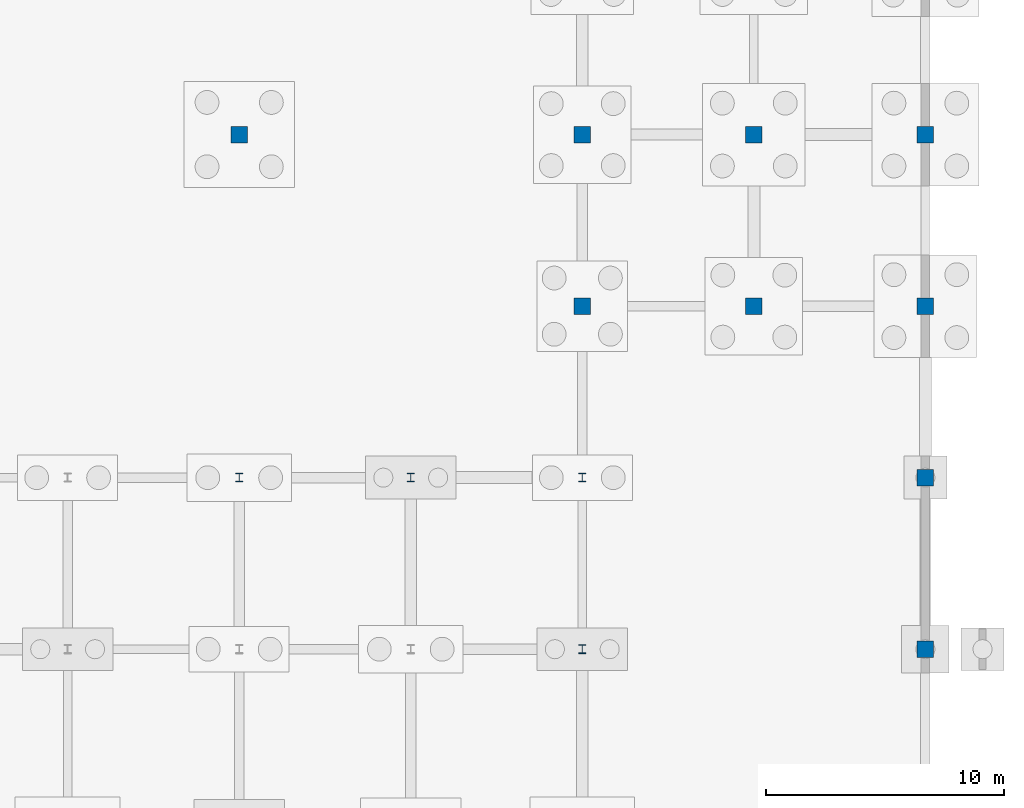
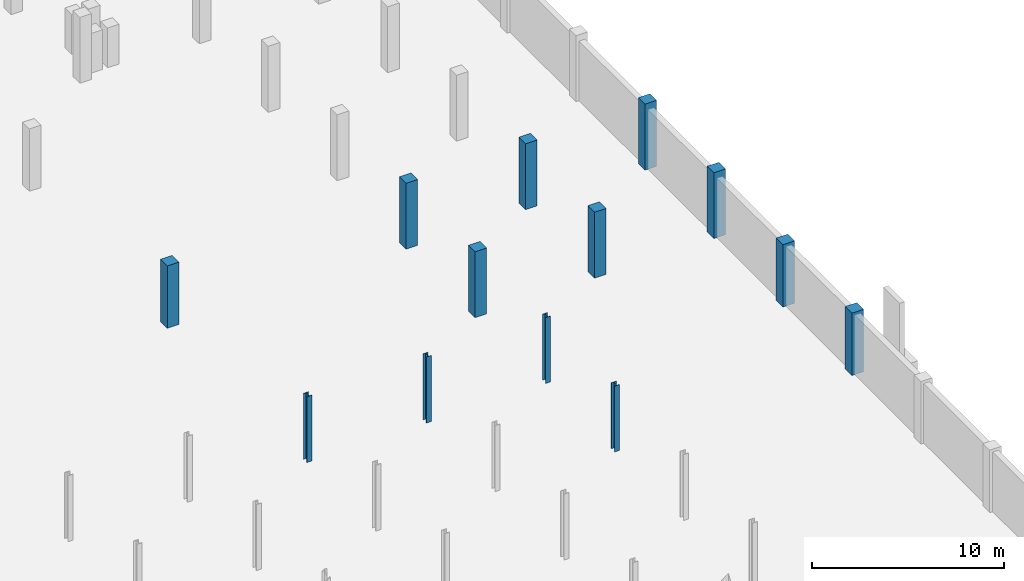
# One storey, part 34 of 56: 13 columns.
"""IFC4 building model written with IfcOpenShell, lengths in metres."""

from ifc_helpers import new_model, si_unit, direction, frame, origin, origin_2d, place, context, subcontext, project, spatial, rectangle, i_section, extrude, material, material_profile, profile_set, type_object, element, save


model = new_model("IFC4")

# Units and contexts
model_context = context("Model", 3, precision=1e-05, world=origin(), true_north=direction((0.0, 1.0)))
body_context = subcontext(model_context, "Body", "Model", "MODEL_VIEW")
ifc_project = project(units=[si_unit("LENGTHUNIT", "METRE"), si_unit("AREAUNIT", "SQUARE_METRE"), si_unit("VOLUMEUNIT", "CUBIC_METRE"), si_unit("PLANEANGLEUNIT", "RADIAN"), si_unit("MASSUNIT", "GRAM", prefix="KILO")], contexts=[model_context])

# Site, building, storey
site_placement = place(None, origin())
site = spatial("IfcSite", under=ifc_project, at=site_placement, CompositionType="ELEMENT")
building_placement = place(site_placement, origin())
building = spatial("IfcBuilding", under=site, at=building_placement, Name="Suanplinth Sawtooth Commons", CompositionType="ELEMENT")
storey_placement = place(building_placement, frame((0.0, 0.0, -4.199951171875)))
storey = spatial("IfcBuildingStorey", under=building, at=storey_placement, Name="B1", CompositionType="ELEMENT", Elevation=-4.199951171875)

# Columns
ifc_material_1 = material(Name="Concrete C40/50", Category="concrete")
ifc_material_profile_1 = material_profile(ifc_material_1, rectangle(XDim=0.699951171875, YDim=0.699951171875, at=origin_2d()), Name="RC-COL 700x700")
ifc_profile_set_1 = profile_set([ifc_material_profile_1], Name="Concrete C40/50")
column_type_1 = type_object("IfcColumnType", Name="C-02", PredefinedType="COLUMN", material=ifc_profile_set_1)
column_placement = place(storey_placement, frame((158.39990234375, 86.39990234375, 0.0), z_axis=(0.0, 0.0, 1.0), x_axis=(1.0, 0.0, 0.0)))
element("IfcColumn", 1, at=column_placement, inside=storey, type_object=column_type_1, Name="Column B1 23/N", PredefinedType="COLUMN", context=body_context, shape_type="SweptSolid", body=[
    extrude(rectangle(XDim=0.699951171875, YDim=0.699951171875, at=origin_2d()), origin(), (0.0, 0.0, 1.0), 3.97998046875),
])
for number, where, z_axis, x_axis, name in (
    (2, (172.800048828125, 79.199951171875, 0.0), (0.0, 0.0, 1.0), (1.0, 0.0, 0.0), "Column B1 25/M"),
    (3, (172.800048828125, 86.39990234375, 0.0), (0.0, 0.0, 1.0), (1.0, 0.0, 0.0), "Column B1 25/N"),
    (4, (180.0, 79.199951171875, 0.0), (0.0, 0.0, 1.0), (1.0, 0.0, 0.0), "Column B1 26/M"),
    (5, (180.0, 86.39990234375, 0.0), (0.0, 0.0, 1.0), (1.0, 0.0, 0.0), "Column B1 26/N"),
):
    element("IfcColumn", number, at=place(storey_placement, frame(where, z_axis=z_axis, x_axis=x_axis)), inside=storey, type_object=column_type_1, Name=name, PredefinedType="COLUMN", context=body_context, shape_type="SweptSolid", body=[
        extrude(rectangle(XDim=0.699951171875, YDim=0.699951171875, at=origin_2d()), origin(), (0.0, 0.0, 1.0), 4.199951171875),
    ])
for number, where, z_axis, x_axis, name in (
    (6, (187.199951171875, 64.800048828125, 0.0), (0.0, 0.0, 1.0), (1.0, 0.0, 0.0), "Column B1 27/K"),
    (7, (187.199951171875, 72.0, 0.0), (0.0, 0.0, 1.0), (1.0, 0.0, 0.0), "Column B1 27/L"),
):
    element("IfcColumn", number, at=place(storey_placement, frame(where, z_axis=z_axis, x_axis=x_axis)), inside=storey, type_object=column_type_1, Name=name, PredefinedType="COLUMN", context=body_context, shape_type="SweptSolid", body=[
        extrude(rectangle(XDim=0.699951171875, YDim=0.699951171875, at=origin_2d()), origin(), (0.0, 0.0, 1.0), 3.97998046875),
    ])
for number, where, z_axis, x_axis, name in (
    (8, (187.199951171875, 79.199951171875, 0.0), (0.0, 0.0, 1.0), (1.0, 0.0, 0.0), "Column B1 27/M"),
    (9, (187.199951171875, 86.39990234375, 0.0), (0.0, 0.0, 1.0), (1.0, 0.0, 0.0), "Column B1 27/N"),
):
    element("IfcColumn", number, at=place(storey_placement, frame(where, z_axis=z_axis, x_axis=x_axis)), inside=storey, type_object=column_type_1, Name=name, PredefinedType="COLUMN", context=body_context, shape_type="SweptSolid", body=[
        extrude(rectangle(XDim=0.699951171875, YDim=0.699951171875, at=origin_2d()), origin(), (0.0, 0.0, 1.0), 4.199951171875),
    ])
ifc_material_2 = material(Name="Steel S355JR", Category="steel")
ifc_material_profile_2 = material_profile(ifc_material_2, i_section(OverallWidth=0.300048828125, OverallDepth=0.360107421875, WebThickness=0.012451171875, FlangeThickness=0.0224609375, at=origin_2d()), Name="HEB 360")
ifc_profile_set_2 = profile_set([ifc_material_profile_2], Name="Steel S355JR")
column_type_2 = type_object("IfcColumnType", Name="C-10", PredefinedType="COLUMN", material=ifc_profile_set_2)
for number, where, z_axis, x_axis, name in (
    (10, (158.39990234375, 72.0, 0.0), (0.0, 0.0, 1.0), (1.0, 0.0, 0.0), "Column B1 23/L"),
    (11, (165.60009765625, 72.0, 0.0), (0.0, 0.0, 1.0), (1.0, 0.0, 0.0), "Column B1 24/L"),
    (12, (172.800048828125, 64.800048828125, 0.0), (0.0, 0.0, 1.0), (1.0, 0.0, 0.0), "Column B1 25/K"),
    (13, (172.800048828125, 72.0, 0.0), (0.0, 0.0, 1.0), (1.0, 0.0, 0.0), "Column B1 25/L"),
):
    element("IfcColumn", number, at=place(storey_placement, frame(where, z_axis=z_axis, x_axis=x_axis)), inside=storey, type_object=column_type_2, Name=name, PredefinedType="COLUMN", context=body_context, shape_type="SweptSolid", body=[
        extrude(i_section(OverallWidth=0.300048828125, OverallDepth=0.360107421875, WebThickness=0.012451171875, FlangeThickness=0.0224609375, at=origin_2d()), origin(), (0.0, 0.0, 1.0), 4.199951171875),
    ])

save(model, "model.ifc")
